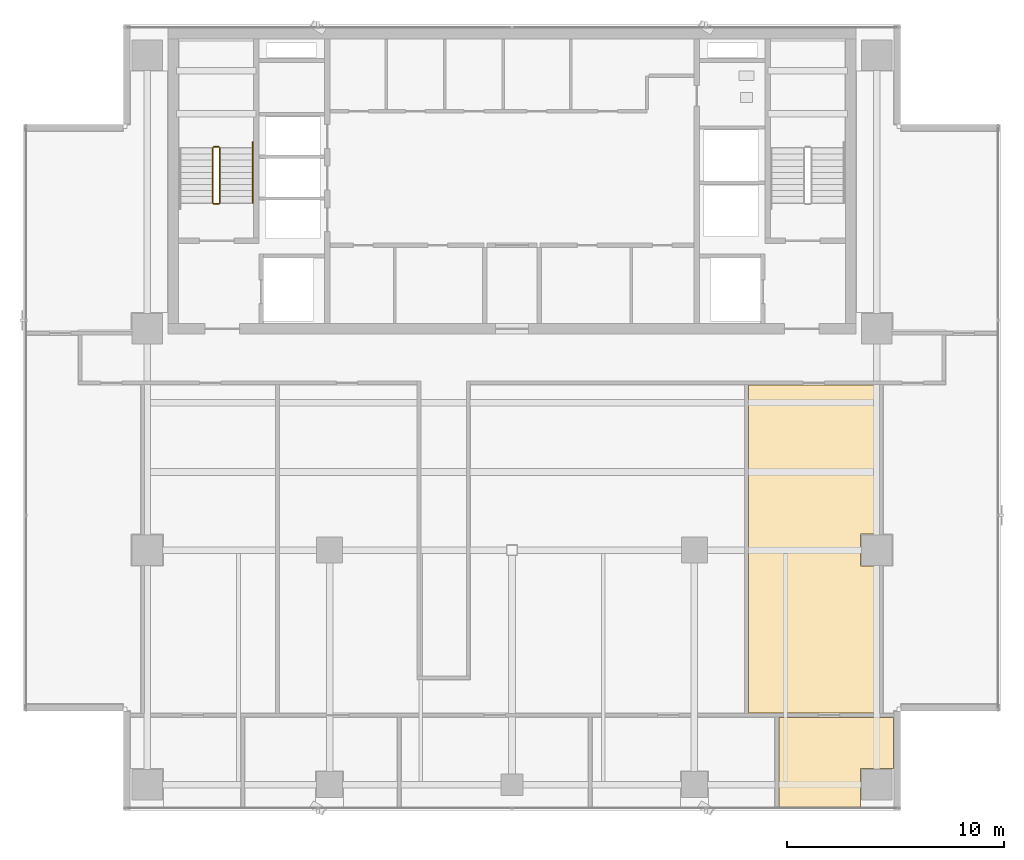
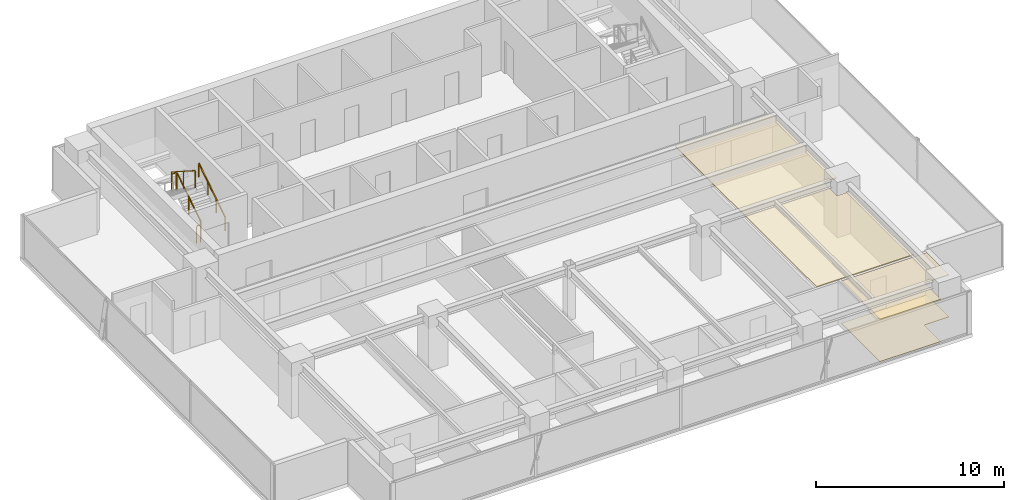
# One storey, part 24 of 27: 5 railings, 3 coverings.
"""IFC4 building model written with IfcOpenShell, lengths in metres."""

from ifc_helpers import new_model, si_unit, direction, frame, origin, origin_2d, place, context, subcontext, project, spatial, polyline, rectangle, outline, extrude, material, layer, layer_set, type_object, element, save


model = new_model("IFC4")

# Units and contexts
model_context = context("Model", 3, precision=1e-05, world=origin(), true_north=direction((0.0, 1.0)))
body_context = subcontext(model_context, "Body", "Model", "MODEL_VIEW")
ifc_project = project(units=[si_unit("LENGTHUNIT", "METRE"), si_unit("AREAUNIT", "SQUARE_METRE"), si_unit("VOLUMEUNIT", "CUBIC_METRE"), si_unit("PLANEANGLEUNIT", "RADIAN"), si_unit("MASSUNIT", "GRAM", prefix="KILO")], contexts=[model_context])

# Site, building, storey
site_placement = place(None, origin())
site = spatial("IfcSite", under=ifc_project, at=site_placement, CompositionType="ELEMENT")
building_placement = place(site_placement, origin())
building = spatial("IfcBuilding", under=site, at=building_placement, Name="Sumidabori Civic Tower", CompositionType="ELEMENT")
storey_placement = place(building_placement, frame((0.0, 0.0, 257.60009765625)))
storey = spatial("IfcBuildingStorey", under=building, at=storey_placement, Name="L67", CompositionType="ELEMENT", Elevation=257.60009765625)

# Coverings
ifc_material_1 = material(Name="Gypsum Coffered Acoustic Ceiling")
ifc_layer_1 = layer(ifc_material_1, 0.06494140625, Name="Gypsum Coffered Acoustic Ceiling")
ifc_layer_set_1 = layer_set([ifc_layer_1], Name="Gypsum Coffered Acoustic Ceiling")
covering_type_1 = type_object("IfcCoveringType", Name="CV-CEIL-AC4", PredefinedType="CEILING", material=ifc_layer_set_1)
covering_1_placement = place(storey_placement, frame((0.0, 0.0, 2.719970703125)))
element("IfcCovering", 1, at=covering_1_placement, inside=storey, type_object=covering_type_1, Name="Room Acoustic Ceiling L67-06", PredefinedType="CEILING", context=body_context, shape_type="SweptSolid", body=[
    extrude(outline(polyline([(10.902587890625, 7.614990234375), (16.8974609375, 7.614990234375), (16.8974609375, 0.739990234375), (16.06005859375, 0.739990234375), (16.06005859375, -0.739990234375), (16.8974609375, -0.739990234375), (16.8974609375, -7.49755859375), (10.902587890625, -7.49755859375), (10.902587890625, 7.614990234375)])), origin(), (0.0, 0.0, 1.0), 0.06494140625),
])
covering_2_placement = place(storey_placement, frame((0.0, 0.0, 2.719970703125)))
element("IfcCovering", 2, at=covering_2_placement, inside=storey, type_object=covering_type_1, Name="Room Acoustic Ceiling L67-09", PredefinedType="CEILING", context=body_context, shape_type="SweptSolid", body=[
    extrude(outline(polyline([(17.572021484375, -10.06005859375), (16.06005859375, -10.06005859375), (16.06005859375, -11.830078125), (12.302490234375, -11.830078125), (12.302490234375, -7.702392578125), (17.572021484375, -7.702392578125), (17.572021484375, -10.06005859375)])), origin(), (0.0, 0.0, 1.0), 0.06494140625),
])
ifc_material_2 = material(Name="Honed Terrazzo Tile Flooring")
ifc_layer_2 = layer(ifc_material_2, 0.030029296875, Name="Honed Terrazzo Tile Flooring")
ifc_layer_set_2 = layer_set([ifc_layer_2], Name="Honed Terrazzo Tile Flooring")
covering_type_2 = type_object("IfcCoveringType", Name="CV-FLR-TER", PredefinedType="FLOORING", material=ifc_layer_set_2)
covering_3_placement = place(storey_placement, origin())
element("IfcCovering", 3, at=covering_3_placement, inside=storey, type_object=covering_type_2, Name="Room Terrazzo Floor L67-09", PredefinedType="FLOORING", context=body_context, shape_type="SweptSolid", body=[
    extrude(outline(polyline([(17.572021484375, -10.06005859375), (16.06005859375, -10.06005859375), (16.06005859375, -11.830078125), (12.302490234375, -11.830078125), (12.302490234375, -7.702392578125), (17.572021484375, -7.702392578125), (17.572021484375, -10.06005859375)])), origin(), (0.0, 0.0, 1.0), 0.02978515625),
])

# Railings
ifc_material_3 = material(Name="Stainless Steel Hairline Finish", Category="steel")
railing_type_1 = type_object("IfcRailingType", Name="RL-HANDRAIL", PredefinedType="HANDRAIL", material=ifc_material_3)
railing_1_placement = place(storey_placement, frame((-11.949951171875, 16.0, 0.179931640625)))
element("IfcRailing", 4, at=railing_1_placement, inside=storey, type_object=railing_type_1, Name="L67 ST-1 stair handrail 1", PredefinedType="HANDRAIL", context=body_context, shape_type="SweptSolid", body=[
    extrude(rectangle(XDim=0.048095703125, YDim=0.048095703125, at=origin_2d()), frame((0.0, 0.0, 0.8759765625), z_axis=(0.0, 0.840675598268, 0.541539046124), x_axis=(-1.0, 0.0, 0.0)), (0.0, 0.0, 1.0), 3.330810546875),
    extrude(rectangle(XDim=0.0419921875, YDim=0.0419921875, at=origin_2d()), origin(), (0.0, 0.0, 1.0), 0.851806640625),
    extrude(rectangle(XDim=0.0419921875, YDim=0.0419921875, at=origin_2d()), frame((0.0, 0.933349609375, 0.601318359375)), (0.0, 0.0, 1.0), 0.851806640625),
    extrude(rectangle(XDim=0.0419921875, YDim=0.0419921875, at=origin_2d()), frame((0.0, 1.86669921875, 1.202392578125)), (0.0, 0.0, 1.0), 0.851806640625),
    extrude(rectangle(XDim=0.0419921875, YDim=0.0419921875, at=origin_2d()), frame((0.0, 2.800048828125, 1.8037109375)), (0.0, 0.0, 1.0), 0.851806640625),
])
ifc_material_4 = material(Name="Steel SN490", Category="steel")
railing_type_2 = type_object("IfcRailingType", Name="RL-STAIR-GUARD", PredefinedType="GUARDRAIL", material=ifc_material_4)
railing_2_placement = place(storey_placement, frame((-13.449951171875, 16.0, 0.179931640625)))
element("IfcRailing", 5, at=railing_2_placement, inside=storey, type_object=railing_type_2, Name="L67 ST-1 stair guard 1", PredefinedType="GUARDRAIL", context=body_context, shape_type="SweptSolid", body=[
    extrude(rectangle(XDim=0.048095703125, YDim=0.048095703125, at=origin_2d()), frame((0.0, 0.0, 1.1259765625), z_axis=(0.0, 0.841199657755, 0.540724639528), x_axis=(-1.0, 0.0, 0.0)), (0.0, 0.0, 1.0), 2.995849609375),
    extrude(rectangle(XDim=0.0419921875, YDim=0.0419921875, at=origin_2d()), origin(), (0.0, 0.0, 1.0), 1.101806640625),
    extrude(rectangle(XDim=0.0419921875, YDim=0.0419921875, at=origin_2d()), frame((0.0, 1.260009765625, 0.81005859375)), (0.0, 0.0, 1.0), 1.101806640625),
    extrude(rectangle(XDim=0.0419921875, YDim=0.0419921875, at=origin_2d()), frame((0.0, 2.52001953125, 1.619873046875)), (0.0, 0.0, 1.0), 1.101806640625),
])
railing_3_placement = place(storey_placement, frame((-13.5, 18.570068359375, 1.7998046875)))
element("IfcRailing", 6, at=railing_3_placement, inside=storey, type_object=railing_type_2, Name="L67 ST-1 stair guard 2", PredefinedType="GUARDRAIL", context=body_context, shape_type="SweptSolid", body=[
    extrude(rectangle(XDim=0.048095703125, YDim=0.048095703125, at=origin_2d()), frame((0.0, 0.0, 1.1259765625), z_axis=(-1.0, 0.0, 0.0), x_axis=(0.0, -1.0, 0.0)), (0.0, 0.0, 1.0), 0.239990234375),
    extrude(rectangle(XDim=0.0419921875, YDim=0.0419921875, at=origin_2d()), origin(), (0.0, 0.0, 1.0), 1.101806640625),
    extrude(rectangle(XDim=0.0419921875, YDim=0.0419921875, at=origin_2d()), frame((-0.239990234375, 0.0, 0.0)), (0.0, 0.0, 1.0), 1.101806640625),
])
railing_4_placement = place(storey_placement, frame((-13.7900390625, 18.52001953125, 1.97998046875)))
element("IfcRailing", 7, at=railing_4_placement, inside=storey, type_object=railing_type_2, Name="L67 ST-1 stair guard 3", PredefinedType="GUARDRAIL", context=body_context, shape_type="SweptSolid", body=[
    extrude(rectangle(XDim=0.048095703125, YDim=0.048095703125, at=origin_2d()), frame((0.0, 0.0, 1.1259765625), z_axis=(0.0, -0.841199657755, 0.540724639528), x_axis=(1.0, 0.0, 0.0)), (0.0, 0.0, 1.0), 2.995849609375),
    extrude(rectangle(XDim=0.0419921875, YDim=0.0419921875, at=origin_2d()), origin(), (0.0, 0.0, 1.0), 1.101806640625),
    extrude(rectangle(XDim=0.0419921875, YDim=0.0419921875, at=origin_2d()), frame((0.0, -1.260009765625, 0.81005859375)), (0.0, 0.0, 1.0), 1.101806640625),
    extrude(rectangle(XDim=0.0419921875, YDim=0.0419921875, at=origin_2d()), frame((0.0, -2.52001953125, 1.619873046875)), (0.0, 0.0, 1.0), 1.101806640625),
])
railing_5_placement = place(storey_placement, frame((-13.5, 15.949951171875, 0.0)))
element("IfcRailing", 8, at=railing_5_placement, inside=storey, type_object=railing_type_2, Name="L67 ST-1 stair guard 4", PredefinedType="GUARDRAIL", context=body_context, shape_type="SweptSolid", body=[
    extrude(rectangle(XDim=0.048095703125, YDim=0.048095703125, at=origin_2d()), frame((0.0, 0.0, 1.1259765625), z_axis=(-1.0, 0.0, 0.0), x_axis=(0.0, -1.0, 0.0)), (0.0, 0.0, 1.0), 0.239990234375),
    extrude(rectangle(XDim=0.0419921875, YDim=0.0419921875, at=origin_2d()), origin(), (0.0, 0.0, 1.0), 1.101806640625),
    extrude(rectangle(XDim=0.0419921875, YDim=0.0419921875, at=origin_2d()), frame((-0.239990234375, 0.0, 0.0)), (0.0, 0.0, 1.0), 1.101806640625),
])

save(model, "model.ifc")
